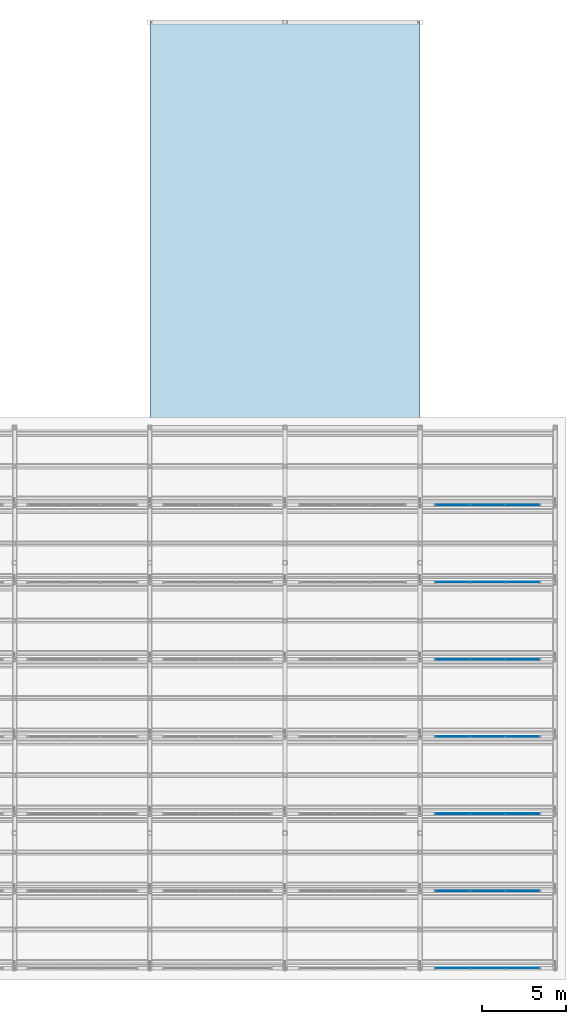
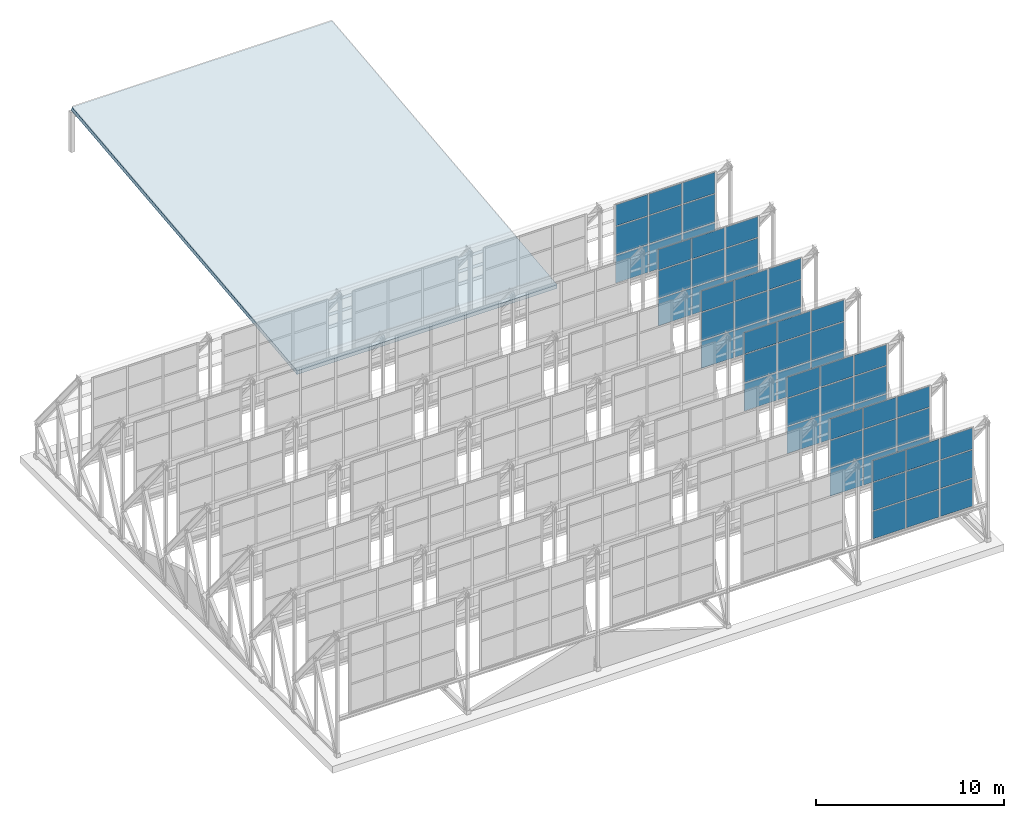
# One storey, part 30 of 34: 63 plates, 1 slab, 8 elements without a shape of their own.
"""IFC4 building model written with IfcOpenShell, lengths in metres."""

from ifc_helpers import new_model, si_unit, direction, frame, origin, origin_2d, place, context, subcontext, project, spatial, polyline, rectangle, outline, extrude, material, layer, layer_set, type_object, element, aggregate, save


model = new_model("IFC4")

# Units and contexts
model_context = context("Model", 3, precision=1e-05, world=origin(), true_north=direction((0.0, 1.0)))
body_context = subcontext(model_context, "Body", "Model", "MODEL_VIEW")
ifc_project = project(units=[si_unit("LENGTHUNIT", "METRE"), si_unit("AREAUNIT", "SQUARE_METRE"), si_unit("VOLUMEUNIT", "CUBIC_METRE"), si_unit("PLANEANGLEUNIT", "RADIAN"), si_unit("MASSUNIT", "GRAM", prefix="KILO")], contexts=[model_context])

# Site, building, storey
site_placement = place(None, origin())
site = spatial("IfcSite", under=ifc_project, at=site_placement, CompositionType="ELEMENT")
building_placement = place(site_placement, origin())
building = spatial("IfcBuilding", under=site, at=building_placement, Name="Qorikala Patio Media Centre", CompositionType="ELEMENT")
storey_placement = place(building_placement, frame((0.0, 0.0, 32.699951171875)))
storey = spatial("IfcBuildingStorey", under=building, at=storey_placement, Name="RF", CompositionType="ELEMENT", Elevation=32.699951171875)

# Curtain wall, plates
ifc_material_1 = material(Name="Bronze Anodised Aluminium and Low-E Glass", Category="aluminium")
ifc_layer_1 = layer(ifc_material_1, 0.159912109375)
ifc_layer_set_1 = layer_set([ifc_layer_1], Name="Bronze Anodised Aluminium and Low-E Glass")
curtain_wall_type_1 = type_object("IfcCurtainWallType", Name="CW-SAW-624X520", PredefinedType="USERDEFINED", material=ifc_layer_set_1)
curtain_wall_1_placement = place(storey_placement, origin())
curtain_wall_1 = element("IfcCurtainWall", 1, at=curtain_wall_1_placement, inside=storey, type_object=curtain_wall_type_1, Name="RF Sawtooth Glazing 111", ObjectType="SAWTOOTH GLAZING", PredefinedType="USERDEFINED")
ifc_material_2 = material(Name="Acoustic Laminated Low-E Glass", Category="glass")
ifc_layer_2 = layer(ifc_material_2, 0.031982421875)
ifc_layer_set_2 = layer_set([ifc_layer_2], Name="Acoustic Laminated Low-E Glass")
plate_type = type_object("IfcPlateType", Name="CWP-32", PredefinedType="CURTAIN_PANEL", material=ifc_layer_set_2)
plate_1_placement = place(storey_placement, frame((36.93505859375, 3.0, 2.81005859375), z_axis=(0.0, 0.0, 1.0), x_axis=(1.0, 0.0, 0.0)))
plate_1 = element("IfcPlate", 2, at=plate_1_placement, type_object=plate_type, Name="CWS624520 panel 1.1", PredefinedType="CURTAIN_PANEL", context=body_context, shape_type="SweptSolid", body=[
    extrude(rectangle(XDim=1.989990234375, YDim=0.031982421875, at=origin_2d()), origin(), (0.0, 0.0, 1.0), 1.781982421875),
])
plate_2_placement = place(storey_placement, frame((36.93505859375, 3.0, 4.652099609375), z_axis=(0.0, 0.0, 1.0), x_axis=(1.0, 0.0, 0.0)))
plate_2 = element("IfcPlate", 3, at=plate_2_placement, type_object=plate_type, Name="CWS624520 panel 1.2", PredefinedType="CURTAIN_PANEL", context=body_context, shape_type="SweptSolid", body=[
    extrude(rectangle(XDim=1.989990234375, YDim=0.031982421875, at=origin_2d()), origin(), (0.0, 0.0, 1.0), 1.81201171875),
])
plate_3_placement = place(storey_placement, frame((36.93505859375, 3.0, 6.52392578125), z_axis=(0.0, 0.0, 1.0), x_axis=(1.0, 0.0, 0.0)))
plate_3 = element("IfcPlate", 4, at=plate_3_placement, type_object=plate_type, Name="CWS624520 panel 1.3", PredefinedType="CURTAIN_PANEL", context=body_context, shape_type="SweptSolid", body=[
    extrude(rectangle(XDim=1.989990234375, YDim=0.031982421875, at=origin_2d()), origin(), (0.0, 0.0, 1.0), 1.365966796875),
])
plate_4_placement = place(storey_placement, frame((39.0, 3.0, 2.81005859375), z_axis=(0.0, 0.0, 1.0), x_axis=(1.0, 0.0, 0.0)))
plate_4 = element("IfcPlate", 5, at=plate_4_placement, type_object=plate_type, Name="CWS624520 panel 2.1", PredefinedType="CURTAIN_PANEL", context=body_context, shape_type="SweptSolid", body=[
    extrude(rectangle(XDim=2.02001953125, YDim=0.031982421875, at=origin_2d()), origin(), (0.0, 0.0, 1.0), 1.781982421875),
])
plate_5_placement = place(storey_placement, frame((39.0, 3.0, 4.652099609375), z_axis=(0.0, 0.0, 1.0), x_axis=(1.0, 0.0, 0.0)))
plate_5 = element("IfcPlate", 6, at=plate_5_placement, type_object=plate_type, Name="CWS624520 panel 2.2", PredefinedType="CURTAIN_PANEL", context=body_context, shape_type="SweptSolid", body=[
    extrude(rectangle(XDim=2.02001953125, YDim=0.031982421875, at=origin_2d()), origin(), (0.0, 0.0, 1.0), 1.81201171875),
])
plate_6_placement = place(storey_placement, frame((39.0, 3.0, 6.52392578125), z_axis=(0.0, 0.0, 1.0), x_axis=(1.0, 0.0, 0.0)))
plate_6 = element("IfcPlate", 7, at=plate_6_placement, type_object=plate_type, Name="CWS624520 panel 2.3", PredefinedType="CURTAIN_PANEL", context=body_context, shape_type="SweptSolid", body=[
    extrude(rectangle(XDim=2.02001953125, YDim=0.031982421875, at=origin_2d()), origin(), (0.0, 0.0, 1.0), 1.365966796875),
])
plate_7_placement = place(storey_placement, frame((41.06494140625, 3.0, 2.81005859375), z_axis=(0.0, 0.0, 1.0), x_axis=(1.0, 0.0, 0.0)))
plate_7 = element("IfcPlate", 8, at=plate_7_placement, type_object=plate_type, Name="CWS624520 panel 3.1", PredefinedType="CURTAIN_PANEL", context=body_context, shape_type="SweptSolid", body=[
    extrude(rectangle(XDim=1.989990234375, YDim=0.031982421875, at=origin_2d()), origin(), (0.0, 0.0, 1.0), 1.781982421875),
])
plate_8_placement = place(storey_placement, frame((41.06494140625, 3.0, 4.652099609375), z_axis=(0.0, 0.0, 1.0), x_axis=(1.0, 0.0, 0.0)))
plate_8 = element("IfcPlate", 9, at=plate_8_placement, type_object=plate_type, Name="CWS624520 panel 3.2", PredefinedType="CURTAIN_PANEL", context=body_context, shape_type="SweptSolid", body=[
    extrude(rectangle(XDim=1.989990234375, YDim=0.031982421875, at=origin_2d()), origin(), (0.0, 0.0, 1.0), 1.81201171875),
])
plate_9_placement = place(storey_placement, frame((41.06494140625, 3.0, 6.52392578125), z_axis=(0.0, 0.0, 1.0), x_axis=(1.0, 0.0, 0.0)))
plate_9 = element("IfcPlate", 10, at=plate_9_placement, type_object=plate_type, Name="CWS624520 panel 3.3", PredefinedType="CURTAIN_PANEL", context=body_context, shape_type="SweptSolid", body=[
    extrude(rectangle(XDim=1.989990234375, YDim=0.031982421875, at=origin_2d()), origin(), (0.0, 0.0, 1.0), 1.365966796875),
])
aggregate(curtain_wall_1, [plate_1, plate_2, plate_3, plate_4, plate_5, plate_6, plate_7, plate_8, plate_9])

ifc_layer_3 = layer(ifc_material_1, 0.159912109375)
ifc_layer_set_3 = layer_set([ifc_layer_3], Name="Bronze Anodised Aluminium and Low-E Glass")
curtain_wall_type_2 = type_object("IfcCurtainWallType", Name="CW-SAW-624X514", PredefinedType="USERDEFINED", material=ifc_layer_set_3)
curtain_wall_2_placement = place(storey_placement, origin())
curtain_wall_2 = element("IfcCurtainWall", 11, at=curtain_wall_2_placement, inside=storey, type_object=curtain_wall_type_2, Name="RF Sawtooth Glazing 116", ObjectType="SAWTOOTH GLAZING", PredefinedType="USERDEFINED")
plate_10_placement = place(storey_placement, frame((36.93505859375, 7.5712890625, 2.81005859375), z_axis=(0.0, 0.0, 1.0), x_axis=(1.0, 0.0, 0.0)))
plate_10 = element("IfcPlate", 12, at=plate_10_placement, type_object=plate_type, Name="CWS624514 panel 1.1", PredefinedType="CURTAIN_PANEL", context=body_context, shape_type="SweptSolid", body=[
    extrude(rectangle(XDim=1.989990234375, YDim=0.031982421875, at=origin_2d()), origin(), (0.0, 0.0, 1.0), 1.760498046875),
])
plate_11_placement = place(storey_placement, frame((36.93505859375, 7.5712890625, 4.63037109375), z_axis=(0.0, 0.0, 1.0), x_axis=(1.0, 0.0, 0.0)))
plate_11 = element("IfcPlate", 13, at=plate_11_placement, type_object=plate_type, Name="CWS624514 panel 1.2", PredefinedType="CURTAIN_PANEL", context=body_context, shape_type="SweptSolid", body=[
    extrude(rectangle(XDim=1.989990234375, YDim=0.031982421875, at=origin_2d()), origin(), (0.0, 0.0, 1.0), 1.790283203125),
])
plate_12_placement = place(storey_placement, frame((36.93505859375, 7.5712890625, 6.48095703125), z_axis=(0.0, 0.0, 1.0), x_axis=(1.0, 0.0, 0.0)))
plate_12 = element("IfcPlate", 14, at=plate_12_placement, type_object=plate_type, Name="CWS624514 panel 1.3", PredefinedType="CURTAIN_PANEL", context=body_context, shape_type="SweptSolid", body=[
    extrude(rectangle(XDim=1.989990234375, YDim=0.031982421875, at=origin_2d()), origin(), (0.0, 0.0, 1.0), 1.34912109375),
])
plate_13_placement = place(storey_placement, frame((39.0, 7.5712890625, 2.81005859375), z_axis=(0.0, 0.0, 1.0), x_axis=(1.0, 0.0, 0.0)))
plate_13 = element("IfcPlate", 15, at=plate_13_placement, type_object=plate_type, Name="CWS624514 panel 2.1", PredefinedType="CURTAIN_PANEL", context=body_context, shape_type="SweptSolid", body=[
    extrude(rectangle(XDim=2.02001953125, YDim=0.031982421875, at=origin_2d()), origin(), (0.0, 0.0, 1.0), 1.760498046875),
])
plate_14_placement = place(storey_placement, frame((39.0, 7.5712890625, 4.63037109375), z_axis=(0.0, 0.0, 1.0), x_axis=(1.0, 0.0, 0.0)))
plate_14 = element("IfcPlate", 16, at=plate_14_placement, type_object=plate_type, Name="CWS624514 panel 2.2", PredefinedType="CURTAIN_PANEL", context=body_context, shape_type="SweptSolid", body=[
    extrude(rectangle(XDim=2.02001953125, YDim=0.031982421875, at=origin_2d()), origin(), (0.0, 0.0, 1.0), 1.790283203125),
])
plate_15_placement = place(storey_placement, frame((39.0, 7.5712890625, 6.48095703125), z_axis=(0.0, 0.0, 1.0), x_axis=(1.0, 0.0, 0.0)))
plate_15 = element("IfcPlate", 17, at=plate_15_placement, type_object=plate_type, Name="CWS624514 panel 2.3", PredefinedType="CURTAIN_PANEL", context=body_context, shape_type="SweptSolid", body=[
    extrude(rectangle(XDim=2.02001953125, YDim=0.031982421875, at=origin_2d()), origin(), (0.0, 0.0, 1.0), 1.34912109375),
])
plate_16_placement = place(storey_placement, frame((41.06494140625, 7.5712890625, 2.81005859375), z_axis=(0.0, 0.0, 1.0), x_axis=(1.0, 0.0, 0.0)))
plate_16 = element("IfcPlate", 18, at=plate_16_placement, type_object=plate_type, Name="CWS624514 panel 3.1", PredefinedType="CURTAIN_PANEL", context=body_context, shape_type="SweptSolid", body=[
    extrude(rectangle(XDim=1.989990234375, YDim=0.031982421875, at=origin_2d()), origin(), (0.0, 0.0, 1.0), 1.760498046875),
])
plate_17_placement = place(storey_placement, frame((41.06494140625, 7.5712890625, 4.63037109375), z_axis=(0.0, 0.0, 1.0), x_axis=(1.0, 0.0, 0.0)))
plate_17 = element("IfcPlate", 19, at=plate_17_placement, type_object=plate_type, Name="CWS624514 panel 3.2", PredefinedType="CURTAIN_PANEL", context=body_context, shape_type="SweptSolid", body=[
    extrude(rectangle(XDim=1.989990234375, YDim=0.031982421875, at=origin_2d()), origin(), (0.0, 0.0, 1.0), 1.790283203125),
])
plate_18_placement = place(storey_placement, frame((41.06494140625, 7.5712890625, 6.48095703125), z_axis=(0.0, 0.0, 1.0), x_axis=(1.0, 0.0, 0.0)))
plate_18 = element("IfcPlate", 20, at=plate_18_placement, type_object=plate_type, Name="CWS624514 panel 3.3", PredefinedType="CURTAIN_PANEL", context=body_context, shape_type="SweptSolid", body=[
    extrude(rectangle(XDim=1.989990234375, YDim=0.031982421875, at=origin_2d()), origin(), (0.0, 0.0, 1.0), 1.34912109375),
])
aggregate(curtain_wall_2, [plate_10, plate_11, plate_12, plate_13, plate_14, plate_15, plate_16, plate_17, plate_18])

ifc_layer_4 = layer(ifc_material_1, 0.159912109375)
ifc_layer_set_4 = layer_set([ifc_layer_4], Name="Bronze Anodised Aluminium and Low-E Glass")
curtain_wall_type_3 = type_object("IfcCurtainWallType", Name="CW-SAW-624X508", PredefinedType="USERDEFINED", material=ifc_layer_set_4)
curtain_wall_3_placement = place(storey_placement, origin())
curtain_wall_3 = element("IfcCurtainWall", 21, at=curtain_wall_3_placement, inside=storey, type_object=curtain_wall_type_3, Name="RF Sawtooth Glazing 121", ObjectType="SAWTOOTH GLAZING", PredefinedType="USERDEFINED")
plate_19_placement = place(storey_placement, frame((36.93505859375, 12.142822265625, 2.81005859375), z_axis=(0.0, 0.0, 1.0), x_axis=(1.0, 0.0, 0.0)))
plate_19 = element("IfcPlate", 22, at=plate_19_placement, type_object=plate_type, Name="CWS624508 panel 1.1", PredefinedType="CURTAIN_PANEL", context=body_context, shape_type="SweptSolid", body=[
    extrude(rectangle(XDim=1.989990234375, YDim=0.031982421875, at=origin_2d()), origin(), (0.0, 0.0, 1.0), 1.73876953125),
])
plate_20_placement = place(storey_placement, frame((36.93505859375, 12.142822265625, 4.60888671875), z_axis=(0.0, 0.0, 1.0), x_axis=(1.0, 0.0, 0.0)))
plate_20 = element("IfcPlate", 23, at=plate_20_placement, type_object=plate_type, Name="CWS624508 panel 1.2", PredefinedType="CURTAIN_PANEL", context=body_context, shape_type="SweptSolid", body=[
    extrude(rectangle(XDim=1.989990234375, YDim=0.031982421875, at=origin_2d()), origin(), (0.0, 0.0, 1.0), 1.768798828125),
])
plate_21_placement = place(storey_placement, frame((36.93505859375, 12.142822265625, 6.4375), z_axis=(0.0, 0.0, 1.0), x_axis=(1.0, 0.0, 0.0)))
plate_21 = element("IfcPlate", 24, at=plate_21_placement, type_object=plate_type, Name="CWS624508 panel 1.3", PredefinedType="CURTAIN_PANEL", context=body_context, shape_type="SweptSolid", body=[
    extrude(rectangle(XDim=1.989990234375, YDim=0.031982421875, at=origin_2d()), origin(), (0.0, 0.0, 1.0), 1.33251953125),
])
plate_22_placement = place(storey_placement, frame((39.0, 12.142822265625, 2.81005859375), z_axis=(0.0, 0.0, 1.0), x_axis=(1.0, 0.0, 0.0)))
plate_22 = element("IfcPlate", 25, at=plate_22_placement, type_object=plate_type, Name="CWS624508 panel 2.1", PredefinedType="CURTAIN_PANEL", context=body_context, shape_type="SweptSolid", body=[
    extrude(rectangle(XDim=2.02001953125, YDim=0.031982421875, at=origin_2d()), origin(), (0.0, 0.0, 1.0), 1.73876953125),
])
plate_23_placement = place(storey_placement, frame((39.0, 12.142822265625, 4.60888671875), z_axis=(0.0, 0.0, 1.0), x_axis=(1.0, 0.0, 0.0)))
plate_23 = element("IfcPlate", 26, at=plate_23_placement, type_object=plate_type, Name="CWS624508 panel 2.2", PredefinedType="CURTAIN_PANEL", context=body_context, shape_type="SweptSolid", body=[
    extrude(rectangle(XDim=2.02001953125, YDim=0.031982421875, at=origin_2d()), origin(), (0.0, 0.0, 1.0), 1.768798828125),
])
plate_24_placement = place(storey_placement, frame((39.0, 12.142822265625, 6.4375), z_axis=(0.0, 0.0, 1.0), x_axis=(1.0, 0.0, 0.0)))
plate_24 = element("IfcPlate", 27, at=plate_24_placement, type_object=plate_type, Name="CWS624508 panel 2.3", PredefinedType="CURTAIN_PANEL", context=body_context, shape_type="SweptSolid", body=[
    extrude(rectangle(XDim=2.02001953125, YDim=0.031982421875, at=origin_2d()), origin(), (0.0, 0.0, 1.0), 1.33251953125),
])
plate_25_placement = place(storey_placement, frame((41.06494140625, 12.142822265625, 2.81005859375), z_axis=(0.0, 0.0, 1.0), x_axis=(1.0, 0.0, 0.0)))
plate_25 = element("IfcPlate", 28, at=plate_25_placement, type_object=plate_type, Name="CWS624508 panel 3.1", PredefinedType="CURTAIN_PANEL", context=body_context, shape_type="SweptSolid", body=[
    extrude(rectangle(XDim=1.989990234375, YDim=0.031982421875, at=origin_2d()), origin(), (0.0, 0.0, 1.0), 1.73876953125),
])
plate_26_placement = place(storey_placement, frame((41.06494140625, 12.142822265625, 4.60888671875), z_axis=(0.0, 0.0, 1.0), x_axis=(1.0, 0.0, 0.0)))
plate_26 = element("IfcPlate", 29, at=plate_26_placement, type_object=plate_type, Name="CWS624508 panel 3.2", PredefinedType="CURTAIN_PANEL", context=body_context, shape_type="SweptSolid", body=[
    extrude(rectangle(XDim=1.989990234375, YDim=0.031982421875, at=origin_2d()), origin(), (0.0, 0.0, 1.0), 1.768798828125),
])
plate_27_placement = place(storey_placement, frame((41.06494140625, 12.142822265625, 6.4375), z_axis=(0.0, 0.0, 1.0), x_axis=(1.0, 0.0, 0.0)))
plate_27 = element("IfcPlate", 30, at=plate_27_placement, type_object=plate_type, Name="CWS624508 panel 3.3", PredefinedType="CURTAIN_PANEL", context=body_context, shape_type="SweptSolid", body=[
    extrude(rectangle(XDim=1.989990234375, YDim=0.031982421875, at=origin_2d()), origin(), (0.0, 0.0, 1.0), 1.33251953125),
])
aggregate(curtain_wall_3, [plate_19, plate_20, plate_21, plate_22, plate_23, plate_24, plate_25, plate_26, plate_27])

curtain_wall_4_placement = place(storey_placement, origin())
curtain_wall_4 = element("IfcCurtainWall", 31, at=curtain_wall_4_placement, inside=storey, type_object=curtain_wall_type_1, Name="RF Sawtooth Glazing 126", ObjectType="SAWTOOTH GLAZING", PredefinedType="USERDEFINED")
plate_28_placement = place(storey_placement, frame((36.93505859375, 16.71435546875, 2.81005859375), z_axis=(0.0, 0.0, 1.0), x_axis=(1.0, 0.0, 0.0)))
plate_28 = element("IfcPlate", 32, at=plate_28_placement, type_object=plate_type, Name="CWS624520 panel 1.1", PredefinedType="CURTAIN_PANEL", context=body_context, shape_type="SweptSolid", body=[
    extrude(rectangle(XDim=1.989990234375, YDim=0.031982421875, at=origin_2d()), origin(), (0.0, 0.0, 1.0), 1.781982421875),
])
plate_29_placement = place(storey_placement, frame((36.93505859375, 16.71435546875, 4.652099609375), z_axis=(0.0, 0.0, 1.0), x_axis=(1.0, 0.0, 0.0)))
plate_29 = element("IfcPlate", 33, at=plate_29_placement, type_object=plate_type, Name="CWS624520 panel 1.2", PredefinedType="CURTAIN_PANEL", context=body_context, shape_type="SweptSolid", body=[
    extrude(rectangle(XDim=1.989990234375, YDim=0.031982421875, at=origin_2d()), origin(), (0.0, 0.0, 1.0), 1.81201171875),
])
plate_30_placement = place(storey_placement, frame((36.93505859375, 16.71435546875, 6.52392578125), z_axis=(0.0, 0.0, 1.0), x_axis=(1.0, 0.0, 0.0)))
plate_30 = element("IfcPlate", 34, at=plate_30_placement, type_object=plate_type, Name="CWS624520 panel 1.3", PredefinedType="CURTAIN_PANEL", context=body_context, shape_type="SweptSolid", body=[
    extrude(rectangle(XDim=1.989990234375, YDim=0.031982421875, at=origin_2d()), origin(), (0.0, 0.0, 1.0), 1.365966796875),
])
plate_31_placement = place(storey_placement, frame((39.0, 16.71435546875, 2.81005859375), z_axis=(0.0, 0.0, 1.0), x_axis=(1.0, 0.0, 0.0)))
plate_31 = element("IfcPlate", 35, at=plate_31_placement, type_object=plate_type, Name="CWS624520 panel 2.1", PredefinedType="CURTAIN_PANEL", context=body_context, shape_type="SweptSolid", body=[
    extrude(rectangle(XDim=2.02001953125, YDim=0.031982421875, at=origin_2d()), origin(), (0.0, 0.0, 1.0), 1.781982421875),
])
plate_32_placement = place(storey_placement, frame((39.0, 16.71435546875, 4.652099609375), z_axis=(0.0, 0.0, 1.0), x_axis=(1.0, 0.0, 0.0)))
plate_32 = element("IfcPlate", 36, at=plate_32_placement, type_object=plate_type, Name="CWS624520 panel 2.2", PredefinedType="CURTAIN_PANEL", context=body_context, shape_type="SweptSolid", body=[
    extrude(rectangle(XDim=2.02001953125, YDim=0.031982421875, at=origin_2d()), origin(), (0.0, 0.0, 1.0), 1.81201171875),
])
plate_33_placement = place(storey_placement, frame((39.0, 16.71435546875, 6.52392578125), z_axis=(0.0, 0.0, 1.0), x_axis=(1.0, 0.0, 0.0)))
plate_33 = element("IfcPlate", 37, at=plate_33_placement, type_object=plate_type, Name="CWS624520 panel 2.3", PredefinedType="CURTAIN_PANEL", context=body_context, shape_type="SweptSolid", body=[
    extrude(rectangle(XDim=2.02001953125, YDim=0.031982421875, at=origin_2d()), origin(), (0.0, 0.0, 1.0), 1.365966796875),
])
plate_34_placement = place(storey_placement, frame((41.06494140625, 16.71435546875, 2.81005859375), z_axis=(0.0, 0.0, 1.0), x_axis=(1.0, 0.0, 0.0)))
plate_34 = element("IfcPlate", 38, at=plate_34_placement, type_object=plate_type, Name="CWS624520 panel 3.1", PredefinedType="CURTAIN_PANEL", context=body_context, shape_type="SweptSolid", body=[
    extrude(rectangle(XDim=1.989990234375, YDim=0.031982421875, at=origin_2d()), origin(), (0.0, 0.0, 1.0), 1.781982421875),
])
plate_35_placement = place(storey_placement, frame((41.06494140625, 16.71435546875, 4.652099609375), z_axis=(0.0, 0.0, 1.0), x_axis=(1.0, 0.0, 0.0)))
plate_35 = element("IfcPlate", 39, at=plate_35_placement, type_object=plate_type, Name="CWS624520 panel 3.2", PredefinedType="CURTAIN_PANEL", context=body_context, shape_type="SweptSolid", body=[
    extrude(rectangle(XDim=1.989990234375, YDim=0.031982421875, at=origin_2d()), origin(), (0.0, 0.0, 1.0), 1.81201171875),
])
plate_36_placement = place(storey_placement, frame((41.06494140625, 16.71435546875, 6.52392578125), z_axis=(0.0, 0.0, 1.0), x_axis=(1.0, 0.0, 0.0)))
plate_36 = element("IfcPlate", 40, at=plate_36_placement, type_object=plate_type, Name="CWS624520 panel 3.3", PredefinedType="CURTAIN_PANEL", context=body_context, shape_type="SweptSolid", body=[
    extrude(rectangle(XDim=1.989990234375, YDim=0.031982421875, at=origin_2d()), origin(), (0.0, 0.0, 1.0), 1.365966796875),
])
aggregate(curtain_wall_4, [plate_28, plate_29, plate_30, plate_31, plate_32, plate_33, plate_34, plate_35, plate_36])

curtain_wall_5_placement = place(storey_placement, origin())
curtain_wall_5 = element("IfcCurtainWall", 41, at=curtain_wall_5_placement, inside=storey, type_object=curtain_wall_type_2, Name="RF Sawtooth Glazing 131", ObjectType="SAWTOOTH GLAZING", PredefinedType="USERDEFINED")
plate_37_placement = place(storey_placement, frame((36.93505859375, 21.28564453125, 2.81005859375), z_axis=(0.0, 0.0, 1.0), x_axis=(1.0, 0.0, 0.0)))
plate_37 = element("IfcPlate", 42, at=plate_37_placement, type_object=plate_type, Name="CWS624514 panel 1.1", PredefinedType="CURTAIN_PANEL", context=body_context, shape_type="SweptSolid", body=[
    extrude(rectangle(XDim=1.989990234375, YDim=0.031982421875, at=origin_2d()), origin(), (0.0, 0.0, 1.0), 1.760498046875),
])
plate_38_placement = place(storey_placement, frame((36.93505859375, 21.28564453125, 4.63037109375), z_axis=(0.0, 0.0, 1.0), x_axis=(1.0, 0.0, 0.0)))
plate_38 = element("IfcPlate", 43, at=plate_38_placement, type_object=plate_type, Name="CWS624514 panel 1.2", PredefinedType="CURTAIN_PANEL", context=body_context, shape_type="SweptSolid", body=[
    extrude(rectangle(XDim=1.989990234375, YDim=0.031982421875, at=origin_2d()), origin(), (0.0, 0.0, 1.0), 1.790283203125),
])
plate_39_placement = place(storey_placement, frame((36.93505859375, 21.28564453125, 6.48095703125), z_axis=(0.0, 0.0, 1.0), x_axis=(1.0, 0.0, 0.0)))
plate_39 = element("IfcPlate", 44, at=plate_39_placement, type_object=plate_type, Name="CWS624514 panel 1.3", PredefinedType="CURTAIN_PANEL", context=body_context, shape_type="SweptSolid", body=[
    extrude(rectangle(XDim=1.989990234375, YDim=0.031982421875, at=origin_2d()), origin(), (0.0, 0.0, 1.0), 1.34912109375),
])
plate_40_placement = place(storey_placement, frame((39.0, 21.28564453125, 2.81005859375), z_axis=(0.0, 0.0, 1.0), x_axis=(1.0, 0.0, 0.0)))
plate_40 = element("IfcPlate", 45, at=plate_40_placement, type_object=plate_type, Name="CWS624514 panel 2.1", PredefinedType="CURTAIN_PANEL", context=body_context, shape_type="SweptSolid", body=[
    extrude(rectangle(XDim=2.02001953125, YDim=0.031982421875, at=origin_2d()), origin(), (0.0, 0.0, 1.0), 1.760498046875),
])
plate_41_placement = place(storey_placement, frame((39.0, 21.28564453125, 4.63037109375), z_axis=(0.0, 0.0, 1.0), x_axis=(1.0, 0.0, 0.0)))
plate_41 = element("IfcPlate", 46, at=plate_41_placement, type_object=plate_type, Name="CWS624514 panel 2.2", PredefinedType="CURTAIN_PANEL", context=body_context, shape_type="SweptSolid", body=[
    extrude(rectangle(XDim=2.02001953125, YDim=0.031982421875, at=origin_2d()), origin(), (0.0, 0.0, 1.0), 1.790283203125),
])
plate_42_placement = place(storey_placement, frame((39.0, 21.28564453125, 6.48095703125), z_axis=(0.0, 0.0, 1.0), x_axis=(1.0, 0.0, 0.0)))
plate_42 = element("IfcPlate", 47, at=plate_42_placement, type_object=plate_type, Name="CWS624514 panel 2.3", PredefinedType="CURTAIN_PANEL", context=body_context, shape_type="SweptSolid", body=[
    extrude(rectangle(XDim=2.02001953125, YDim=0.031982421875, at=origin_2d()), origin(), (0.0, 0.0, 1.0), 1.34912109375),
])
plate_43_placement = place(storey_placement, frame((41.06494140625, 21.28564453125, 2.81005859375), z_axis=(0.0, 0.0, 1.0), x_axis=(1.0, 0.0, 0.0)))
plate_43 = element("IfcPlate", 48, at=plate_43_placement, type_object=plate_type, Name="CWS624514 panel 3.1", PredefinedType="CURTAIN_PANEL", context=body_context, shape_type="SweptSolid", body=[
    extrude(rectangle(XDim=1.989990234375, YDim=0.031982421875, at=origin_2d()), origin(), (0.0, 0.0, 1.0), 1.760498046875),
])
plate_44_placement = place(storey_placement, frame((41.06494140625, 21.28564453125, 4.63037109375), z_axis=(0.0, 0.0, 1.0), x_axis=(1.0, 0.0, 0.0)))
plate_44 = element("IfcPlate", 49, at=plate_44_placement, type_object=plate_type, Name="CWS624514 panel 3.2", PredefinedType="CURTAIN_PANEL", context=body_context, shape_type="SweptSolid", body=[
    extrude(rectangle(XDim=1.989990234375, YDim=0.031982421875, at=origin_2d()), origin(), (0.0, 0.0, 1.0), 1.790283203125),
])
plate_45_placement = place(storey_placement, frame((41.06494140625, 21.28564453125, 6.48095703125), z_axis=(0.0, 0.0, 1.0), x_axis=(1.0, 0.0, 0.0)))
plate_45 = element("IfcPlate", 50, at=plate_45_placement, type_object=plate_type, Name="CWS624514 panel 3.3", PredefinedType="CURTAIN_PANEL", context=body_context, shape_type="SweptSolid", body=[
    extrude(rectangle(XDim=1.989990234375, YDim=0.031982421875, at=origin_2d()), origin(), (0.0, 0.0, 1.0), 1.34912109375),
])
aggregate(curtain_wall_5, [plate_37, plate_38, plate_39, plate_40, plate_41, plate_42, plate_43, plate_44, plate_45])

curtain_wall_6_placement = place(storey_placement, origin())
curtain_wall_6 = element("IfcCurtainWall", 51, at=curtain_wall_6_placement, inside=storey, type_object=curtain_wall_type_3, Name="RF Sawtooth Glazing 136", ObjectType="SAWTOOTH GLAZING", PredefinedType="USERDEFINED")
plate_46_placement = place(storey_placement, frame((36.93505859375, 25.857177734375, 2.81005859375), z_axis=(0.0, 0.0, 1.0), x_axis=(1.0, 0.0, 0.0)))
plate_46 = element("IfcPlate", 52, at=plate_46_placement, type_object=plate_type, Name="CWS624508 panel 1.1", PredefinedType="CURTAIN_PANEL", context=body_context, shape_type="SweptSolid", body=[
    extrude(rectangle(XDim=1.989990234375, YDim=0.031982421875, at=origin_2d()), origin(), (0.0, 0.0, 1.0), 1.73876953125),
])
plate_47_placement = place(storey_placement, frame((36.93505859375, 25.857177734375, 4.60888671875), z_axis=(0.0, 0.0, 1.0), x_axis=(1.0, 0.0, 0.0)))
plate_47 = element("IfcPlate", 53, at=plate_47_placement, type_object=plate_type, Name="CWS624508 panel 1.2", PredefinedType="CURTAIN_PANEL", context=body_context, shape_type="SweptSolid", body=[
    extrude(rectangle(XDim=1.989990234375, YDim=0.031982421875, at=origin_2d()), origin(), (0.0, 0.0, 1.0), 1.768798828125),
])
plate_48_placement = place(storey_placement, frame((36.93505859375, 25.857177734375, 6.4375), z_axis=(0.0, 0.0, 1.0), x_axis=(1.0, 0.0, 0.0)))
plate_48 = element("IfcPlate", 54, at=plate_48_placement, type_object=plate_type, Name="CWS624508 panel 1.3", PredefinedType="CURTAIN_PANEL", context=body_context, shape_type="SweptSolid", body=[
    extrude(rectangle(XDim=1.989990234375, YDim=0.031982421875, at=origin_2d()), origin(), (0.0, 0.0, 1.0), 1.33251953125),
])
plate_49_placement = place(storey_placement, frame((39.0, 25.857177734375, 2.81005859375), z_axis=(0.0, 0.0, 1.0), x_axis=(1.0, 0.0, 0.0)))
plate_49 = element("IfcPlate", 55, at=plate_49_placement, type_object=plate_type, Name="CWS624508 panel 2.1", PredefinedType="CURTAIN_PANEL", context=body_context, shape_type="SweptSolid", body=[
    extrude(rectangle(XDim=2.02001953125, YDim=0.031982421875, at=origin_2d()), origin(), (0.0, 0.0, 1.0), 1.73876953125),
])
plate_50_placement = place(storey_placement, frame((39.0, 25.857177734375, 4.60888671875), z_axis=(0.0, 0.0, 1.0), x_axis=(1.0, 0.0, 0.0)))
plate_50 = element("IfcPlate", 56, at=plate_50_placement, type_object=plate_type, Name="CWS624508 panel 2.2", PredefinedType="CURTAIN_PANEL", context=body_context, shape_type="SweptSolid", body=[
    extrude(rectangle(XDim=2.02001953125, YDim=0.031982421875, at=origin_2d()), origin(), (0.0, 0.0, 1.0), 1.768798828125),
])
plate_51_placement = place(storey_placement, frame((39.0, 25.857177734375, 6.4375), z_axis=(0.0, 0.0, 1.0), x_axis=(1.0, 0.0, 0.0)))
plate_51 = element("IfcPlate", 57, at=plate_51_placement, type_object=plate_type, Name="CWS624508 panel 2.3", PredefinedType="CURTAIN_PANEL", context=body_context, shape_type="SweptSolid", body=[
    extrude(rectangle(XDim=2.02001953125, YDim=0.031982421875, at=origin_2d()), origin(), (0.0, 0.0, 1.0), 1.33251953125),
])
plate_52_placement = place(storey_placement, frame((41.06494140625, 25.857177734375, 2.81005859375), z_axis=(0.0, 0.0, 1.0), x_axis=(1.0, 0.0, 0.0)))
plate_52 = element("IfcPlate", 58, at=plate_52_placement, type_object=plate_type, Name="CWS624508 panel 3.1", PredefinedType="CURTAIN_PANEL", context=body_context, shape_type="SweptSolid", body=[
    extrude(rectangle(XDim=1.989990234375, YDim=0.031982421875, at=origin_2d()), origin(), (0.0, 0.0, 1.0), 1.73876953125),
])
plate_53_placement = place(storey_placement, frame((41.06494140625, 25.857177734375, 4.60888671875), z_axis=(0.0, 0.0, 1.0), x_axis=(1.0, 0.0, 0.0)))
plate_53 = element("IfcPlate", 59, at=plate_53_placement, type_object=plate_type, Name="CWS624508 panel 3.2", PredefinedType="CURTAIN_PANEL", context=body_context, shape_type="SweptSolid", body=[
    extrude(rectangle(XDim=1.989990234375, YDim=0.031982421875, at=origin_2d()), origin(), (0.0, 0.0, 1.0), 1.768798828125),
])
plate_54_placement = place(storey_placement, frame((41.06494140625, 25.857177734375, 6.4375), z_axis=(0.0, 0.0, 1.0), x_axis=(1.0, 0.0, 0.0)))
plate_54 = element("IfcPlate", 60, at=plate_54_placement, type_object=plate_type, Name="CWS624508 panel 3.3", PredefinedType="CURTAIN_PANEL", context=body_context, shape_type="SweptSolid", body=[
    extrude(rectangle(XDim=1.989990234375, YDim=0.031982421875, at=origin_2d()), origin(), (0.0, 0.0, 1.0), 1.33251953125),
])
aggregate(curtain_wall_6, [plate_46, plate_47, plate_48, plate_49, plate_50, plate_51, plate_52, plate_53, plate_54])

curtain_wall_7_placement = place(storey_placement, origin())
curtain_wall_7 = element("IfcCurtainWall", 61, at=curtain_wall_7_placement, inside=storey, type_object=curtain_wall_type_1, Name="RF Sawtooth Glazing 141", ObjectType="SAWTOOTH GLAZING", PredefinedType="USERDEFINED")
plate_55_placement = place(storey_placement, frame((36.93505859375, 30.4287109375, 2.81005859375), z_axis=(0.0, 0.0, 1.0), x_axis=(1.0, 0.0, 0.0)))
plate_55 = element("IfcPlate", 62, at=plate_55_placement, type_object=plate_type, Name="CWS624520 panel 1.1", PredefinedType="CURTAIN_PANEL", context=body_context, shape_type="SweptSolid", body=[
    extrude(rectangle(XDim=1.989990234375, YDim=0.031982421875, at=origin_2d()), origin(), (0.0, 0.0, 1.0), 1.781982421875),
])
plate_56_placement = place(storey_placement, frame((36.93505859375, 30.4287109375, 4.652099609375), z_axis=(0.0, 0.0, 1.0), x_axis=(1.0, 0.0, 0.0)))
plate_56 = element("IfcPlate", 63, at=plate_56_placement, type_object=plate_type, Name="CWS624520 panel 1.2", PredefinedType="CURTAIN_PANEL", context=body_context, shape_type="SweptSolid", body=[
    extrude(rectangle(XDim=1.989990234375, YDim=0.031982421875, at=origin_2d()), origin(), (0.0, 0.0, 1.0), 1.81201171875),
])
plate_57_placement = place(storey_placement, frame((36.93505859375, 30.4287109375, 6.52392578125), z_axis=(0.0, 0.0, 1.0), x_axis=(1.0, 0.0, 0.0)))
plate_57 = element("IfcPlate", 64, at=plate_57_placement, type_object=plate_type, Name="CWS624520 panel 1.3", PredefinedType="CURTAIN_PANEL", context=body_context, shape_type="SweptSolid", body=[
    extrude(rectangle(XDim=1.989990234375, YDim=0.031982421875, at=origin_2d()), origin(), (0.0, 0.0, 1.0), 1.365966796875),
])
plate_58_placement = place(storey_placement, frame((39.0, 30.4287109375, 2.81005859375), z_axis=(0.0, 0.0, 1.0), x_axis=(1.0, 0.0, 0.0)))
plate_58 = element("IfcPlate", 65, at=plate_58_placement, type_object=plate_type, Name="CWS624520 panel 2.1", PredefinedType="CURTAIN_PANEL", context=body_context, shape_type="SweptSolid", body=[
    extrude(rectangle(XDim=2.02001953125, YDim=0.031982421875, at=origin_2d()), origin(), (0.0, 0.0, 1.0), 1.781982421875),
])
plate_59_placement = place(storey_placement, frame((39.0, 30.4287109375, 4.652099609375), z_axis=(0.0, 0.0, 1.0), x_axis=(1.0, 0.0, 0.0)))
plate_59 = element("IfcPlate", 66, at=plate_59_placement, type_object=plate_type, Name="CWS624520 panel 2.2", PredefinedType="CURTAIN_PANEL", context=body_context, shape_type="SweptSolid", body=[
    extrude(rectangle(XDim=2.02001953125, YDim=0.031982421875, at=origin_2d()), origin(), (0.0, 0.0, 1.0), 1.81201171875),
])
plate_60_placement = place(storey_placement, frame((39.0, 30.4287109375, 6.52392578125), z_axis=(0.0, 0.0, 1.0), x_axis=(1.0, 0.0, 0.0)))
plate_60 = element("IfcPlate", 67, at=plate_60_placement, type_object=plate_type, Name="CWS624520 panel 2.3", PredefinedType="CURTAIN_PANEL", context=body_context, shape_type="SweptSolid", body=[
    extrude(rectangle(XDim=2.02001953125, YDim=0.031982421875, at=origin_2d()), origin(), (0.0, 0.0, 1.0), 1.365966796875),
])
plate_61_placement = place(storey_placement, frame((41.06494140625, 30.4287109375, 2.81005859375), z_axis=(0.0, 0.0, 1.0), x_axis=(1.0, 0.0, 0.0)))
plate_61 = element("IfcPlate", 68, at=plate_61_placement, type_object=plate_type, Name="CWS624520 panel 3.1", PredefinedType="CURTAIN_PANEL", context=body_context, shape_type="SweptSolid", body=[
    extrude(rectangle(XDim=1.989990234375, YDim=0.031982421875, at=origin_2d()), origin(), (0.0, 0.0, 1.0), 1.781982421875),
])
plate_62_placement = place(storey_placement, frame((41.06494140625, 30.4287109375, 4.652099609375), z_axis=(0.0, 0.0, 1.0), x_axis=(1.0, 0.0, 0.0)))
plate_62 = element("IfcPlate", 69, at=plate_62_placement, type_object=plate_type, Name="CWS624520 panel 3.2", PredefinedType="CURTAIN_PANEL", context=body_context, shape_type="SweptSolid", body=[
    extrude(rectangle(XDim=1.989990234375, YDim=0.031982421875, at=origin_2d()), origin(), (0.0, 0.0, 1.0), 1.81201171875),
])
plate_63_placement = place(storey_placement, frame((41.06494140625, 30.4287109375, 6.52392578125), z_axis=(0.0, 0.0, 1.0), x_axis=(1.0, 0.0, 0.0)))
plate_63 = element("IfcPlate", 70, at=plate_63_placement, type_object=plate_type, Name="CWS624520 panel 3.3", PredefinedType="CURTAIN_PANEL", context=body_context, shape_type="SweptSolid", body=[
    extrude(rectangle(XDim=1.989990234375, YDim=0.031982421875, at=origin_2d()), origin(), (0.0, 0.0, 1.0), 1.365966796875),
])
aggregate(curtain_wall_7, [plate_55, plate_56, plate_57, plate_58, plate_59, plate_60, plate_61, plate_62, plate_63])

# Roof, slab
ifc_material_3 = material(Name="Terracotta Clay Tile and Steel S355", Category="masonry")
roof_type = type_object("IfcRoofType", Name="ROOF-HIP", PredefinedType="HIP_ROOF", material=ifc_material_3)
roof_placement = place(storey_placement, origin())
roof = element("IfcRoof", 71, at=roof_placement, inside=storey, type_object=roof_type, Name="Rooftop Screen Pavilion Acoustic Canopy Roof", PredefinedType="HIP_ROOF")
ifc_material_4 = material(Name="Concrete C35/45", Category="concrete")
ifc_layer_5 = layer(ifc_material_4, 0.260009765625)
ifc_layer_set_5 = layer_set([ifc_layer_5], Name="Concrete C35/45")
slab_type = type_object("IfcSlabType", Name="SL-ROOF-180", PredefinedType="ROOF", material=ifc_layer_set_5)
slab_placement = place(storey_placement, frame((19.0, 35.0, 0.260009765625), z_axis=(0.0, -0.107707167096, 0.994182662369), x_axis=(1.0, 0.0, 0.0)))
slab = element("IfcSlab", 72, at=slab_placement, type_object=slab_type, Name="Rooftop Screen Pavilion Canopy Slab", PredefinedType="ROOF", context=body_context, shape_type="SweptSolid", body=[
    extrude(outline(polyline([(0.0, 0.0), (16.0, 0.0), (16.0, 24.140433049596208), (0.0, 24.140433049596208), (0.0, 0.0)])), origin(), (0.0, 0.0, -1.0), 0.260009765625),
])
aggregate(roof, [slab])

save(model, "model.ifc")
